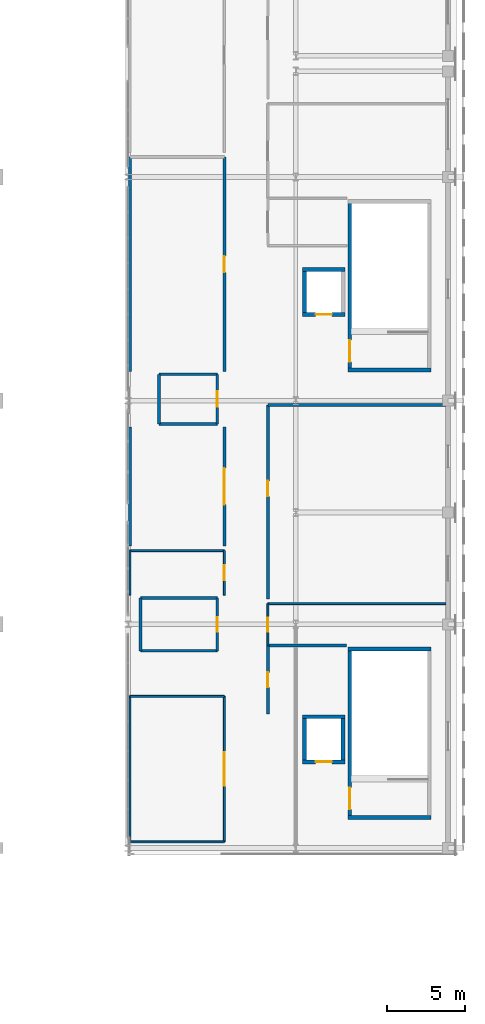
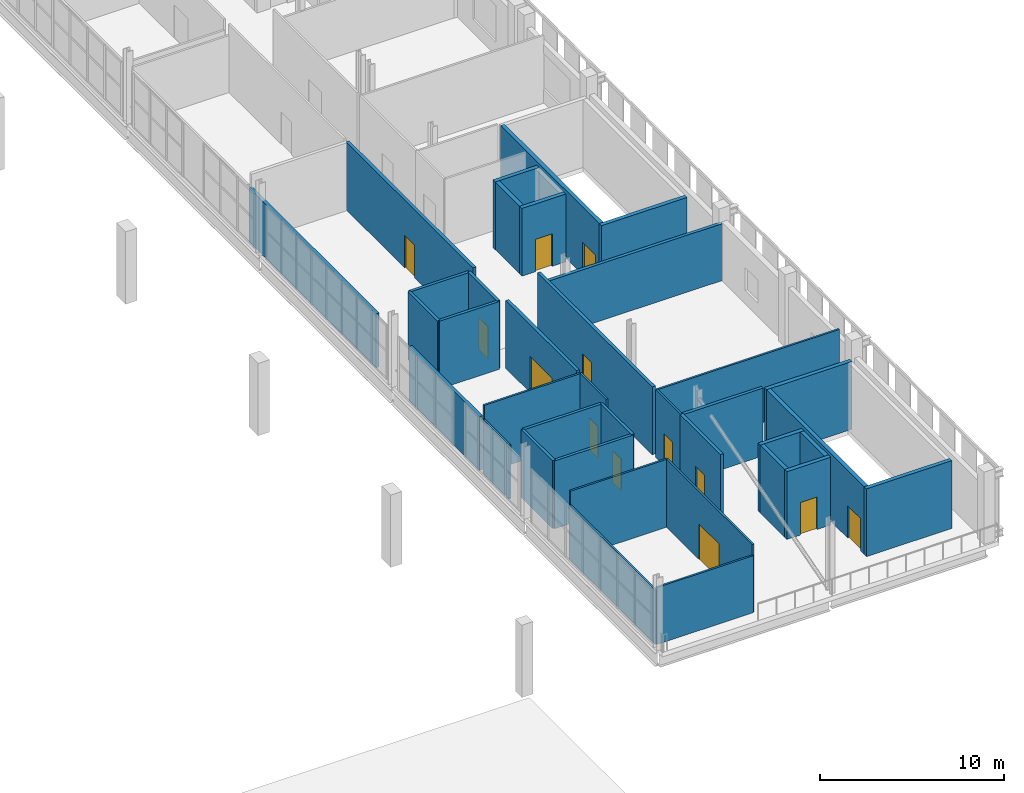
# One storey, part 36 of 51: 37 walls, 13 doors, 13 openings.
"""IFC4 building model written with IfcOpenShell, lengths in metres."""

from ifc_helpers import new_model, si_unit, direction, frame, frame_2d, origin, place, context, subcontext, project, spatial, rectangle, extrude, material, layer, layer_set, type_object, element, fill, save


model = new_model("IFC4")

# Units and contexts
model_context = context("Model", 3, precision=1e-05, world=origin(), true_north=direction((0.0, 1.0)))
body_context = subcontext(model_context, "Body", "Model", "MODEL_VIEW")
ifc_project = project(units=[si_unit("LENGTHUNIT", "METRE"), si_unit("AREAUNIT", "SQUARE_METRE"), si_unit("VOLUMEUNIT", "CUBIC_METRE"), si_unit("PLANEANGLEUNIT", "RADIAN"), si_unit("MASSUNIT", "GRAM", prefix="KILO")], contexts=[model_context])

# Site, building, storey
site_placement = place(None, origin())
site = spatial("IfcSite", under=ifc_project, at=site_placement, CompositionType="ELEMENT")
building_placement = place(site_placement, origin())
building = spatial("IfcBuilding", under=site, at=building_placement, Name="Koshinbarg Plaza Stadium", CompositionType="ELEMENT")
storey_placement = place(building_placement, frame((0.0, 0.0, 24.60009765625)))
storey = spatial("IfcBuildingStorey", under=building, at=storey_placement, Name="L05", CompositionType="ELEMENT", Elevation=24.60009765625)

# Walls
ifc_material_1 = material(Name="Concrete C40/50", Category="concrete")
ifc_layer_1 = layer(ifc_material_1, 0.25)
ifc_layer_set_1 = layer_set([ifc_layer_1], Name="Concrete C40/50")
wall_type_1 = type_object("IfcWallType", Name="WL-CORE-250", PredefinedType="SHEAR", material=ifc_layer_set_1)
for number, where, z_axis, x_axis, name in (
    (1, (211.949951171875, 27.47509765625, 0.0), (0.0, 0.0, 1.0), (1.0, 0.0, 0.0), "L05 core stair shear wall C07-near IWL-L05-0182"),
    (2, (217.320068359375, 38.324951171875, 0.0), (0.0, 0.0, 1.0), (-1.0, 0.0, 0.0), "L05 core stair shear wall C07-far IWL-L05-0183"),
):
    element("IfcWall", number, at=place(storey_placement, frame(where, z_axis=z_axis, x_axis=x_axis)), inside=storey, type_object=wall_type_1, Name=name, PredefinedType="SHEAR", context=body_context, shape_type="SweptSolid", body=[
        extrude(rectangle(XDim=5.3701171875, YDim=0.25, at=frame_2d((2.68505859375, 0.0))), origin(), (0.0, 0.0, 1.0), 4.5),
    ])

# Wall, opening, door
wall_1_placement = place(storey_placement, frame((212.074951171875, 27.47509765625, 0.0), z_axis=(0.0, 0.0, 1.0), x_axis=(0.0, 1.0, 0.0)))
wall_1 = element("IfcWall", 3, at=wall_1_placement, inside=storey, type_object=wall_type_1, Name="L05 core stair shear wall C07-left IWL-L05-0184", PredefinedType="SHEAR", context=body_context, shape_type="SweptSolid", body=[
    extrude(rectangle(XDim=10.849853515625, YDim=0.25, at=frame_2d((5.4248046875, 0.0))), origin(), (0.0, 0.0, 1.0), 4.5),
])
opening_1_placement = place(wall_1_placement, frame((0.52001953125, 0.0, 0.0)))
opening_1 = element("IfcOpeningElement", 4, at=opening_1_placement, cuts=wall_1, Name="Opening D-0108", PredefinedType="OPENING", context=body_context, shape_type="SweptSolid", body=[
    extrude(rectangle(XDim=1.39990234375, YDim=2.14990234375, at=frame_2d((0.699951171875, 1.074951171875))), frame((0.0, 0.135009765625, 0.0), z_axis=(0.0, -1.0, 0.0), x_axis=(1.0, 0.0, 0.0)), (0.0, 0.0, 1.0), 0.27001953125),
])
ifc_material_2 = material(Name="Painted galvanized steel fire door", Category="steel")
door_type_1 = type_object("IfcDoorType", Name="DR-STAIR-1400", OperationType="NOTDEFINED", PredefinedType="DOOR", material=ifc_material_2)
door_1_placement = place(opening_1_placement, frame((1.39990234375, 0.0, 0.0), z_axis=(0.0, 0.0, 1.0), x_axis=(-1.0, 0.0, 0.0)))
door_1 = element("IfcDoor", 5, at=door_1_placement, inside=storey, type_object=door_type_1, Name="L05 exit stair door C07", OperationType="SINGLE_SWING_LEFT", OverallHeight=2.14990234375, OverallWidth=1.39990234375, PredefinedType="DOOR", context=body_context, shape_type="SweptSolid", body=[
    extrude(rectangle(XDim=1.39990234375, YDim=2.14990234375, at=frame_2d((0.699951171875, 1.074951171875))), frame((0.0, 0.02490234375, 0.0), z_axis=(0.0, -1.0, 0.0), x_axis=(1.0, 0.0, 0.0)), (0.0, 0.0, 1.0), 0.050048828125),
])
fill(opening_1, door_1)

# Wall
wall_2_placement = place(storey_placement, frame((211.949951171875, 56.27490234375, 0.0), z_axis=(0.0, 0.0, 1.0), x_axis=(1.0, 0.0, 0.0)))
element("IfcWall", 6, at=wall_2_placement, inside=storey, type_object=wall_type_1, Name="L05 core stair shear wall C08-near IWL-L05-0206", PredefinedType="SHEAR", context=body_context, shape_type="SweptSolid", body=[
    extrude(rectangle(XDim=5.3701171875, YDim=0.25, at=frame_2d((2.68505859375, 0.0))), origin(), (0.0, 0.0, 1.0), 4.5),
])

# Wall, opening, door
wall_3_placement = place(storey_placement, frame((212.074951171875, 56.27490234375, 0.0), z_axis=(0.0, 0.0, 1.0), x_axis=(0.0, 1.0, 0.0)))
wall_3 = element("IfcWall", 7, at=wall_3_placement, inside=storey, type_object=wall_type_1, Name="L05 core stair shear wall C08-left IWL-L05-0208", PredefinedType="SHEAR", context=body_context, shape_type="SweptSolid", body=[
    extrude(rectangle(XDim=10.85009765625, YDim=0.25, at=frame_2d((5.425048828125, 0.0))), origin(), (0.0, 0.0, 1.0), 4.5),
])
opening_2_placement = place(wall_3_placement, frame((0.52001953125, 0.0, 0.0)))
opening_2 = element("IfcOpeningElement", 8, at=opening_2_placement, cuts=wall_3, Name="Opening D-0114", PredefinedType="OPENING", context=body_context, shape_type="SweptSolid", body=[
    extrude(rectangle(XDim=1.39990234375, YDim=2.14990234375, at=frame_2d((0.699951171875, 1.074951171875))), frame((0.0, 0.135009765625, 0.0), z_axis=(0.0, -1.0, 0.0), x_axis=(1.0, 0.0, 0.0)), (0.0, 0.0, 1.0), 0.27001953125),
])
door_2_placement = place(opening_2_placement, frame((1.39990234375, 0.0, 0.0), z_axis=(0.0, 0.0, 1.0), x_axis=(-1.0, 0.0, 0.0)))
door_2 = element("IfcDoor", 9, at=door_2_placement, inside=storey, type_object=door_type_1, Name="L05 exit stair door C08", OperationType="SINGLE_SWING_RIGHT", OverallHeight=2.14990234375, OverallWidth=1.39990234375, PredefinedType="DOOR", context=body_context, shape_type="SweptSolid", body=[
    extrude(rectangle(XDim=1.39990234375, YDim=2.14990234375, at=frame_2d((0.699951171875, 1.074951171875))), frame((0.0, 0.02490234375, 0.0), z_axis=(0.0, -1.0, 0.0), x_axis=(1.0, 0.0, 0.0)), (0.0, 0.0, 1.0), 0.050048828125),
])
fill(opening_2, door_2)

wall_4_placement = place(storey_placement, frame((209.02490234375, 31.050048828125, 0.0), z_axis=(0.0, 0.0, 1.0), x_axis=(1.0, 0.0, 0.0)))
wall_4 = element("IfcWall", 10, at=wall_4_placement, inside=storey, type_object=wall_type_1, Name="L05 lift shaft shear wall LP03-S IWL-L05-0882", PredefinedType="SHEAR", context=body_context, shape_type="SweptSolid", body=[
    extrude(rectangle(XDim=2.75, YDim=0.25, at=frame_2d((1.375, 0.0))), origin(), (0.0, 0.0, 1.0), 4.5),
])
opening_3_placement = place(wall_4_placement, frame((0.85009765625, 0.0, 0.0)))
opening_3 = element("IfcOpeningElement", 11, at=opening_3_placement, cuts=wall_4, Name="Opening D-0290", PredefinedType="OPENING", context=body_context, shape_type="SweptSolid", body=[
    extrude(rectangle(XDim=1.050048828125, YDim=2.14990234375, at=frame_2d((0.52490234375, 1.074951171875))), frame((0.0, 0.135009765625, 0.0), z_axis=(0.0, -1.0, 0.0), x_axis=(1.0, 0.0, 0.0)), (0.0, 0.0, 1.0), 0.27001953125),
])
ifc_material_3 = material(Name="Brushed stainless steel sliding lift landing door", Category="steel")
door_type_2 = type_object("IfcDoorType", Name="DR-LIFT-1050", OperationType="NOTDEFINED", PredefinedType="DOOR", material=ifc_material_3)
door_3_placement = place(opening_3_placement, origin())
door_3 = element("IfcDoor", 12, at=door_3_placement, inside=storey, type_object=door_type_2, Name="L05 lift landing door LP03", OperationType="SLIDING_TO_RIGHT", OverallHeight=2.14990234375, OverallWidth=1.050048828125, PredefinedType="DOOR", context=body_context, shape_type="SweptSolid", body=[
    extrude(rectangle(XDim=1.050048828125, YDim=2.14990234375, at=frame_2d((0.52490234375, 1.074951171875))), frame((0.0, 0.02490234375, 0.0), z_axis=(0.0, -1.0, 0.0), x_axis=(1.0, 0.0, 0.0)), (0.0, 0.0, 1.0), 0.050048828125),
])
fill(opening_3, door_3)

# Walls
wall_5_placement = place(storey_placement, frame((211.77490234375, 33.949951171875, 0.0), z_axis=(0.0, 0.0, 1.0), x_axis=(-1.0, 0.0, 0.0)))
element("IfcWall", 13, at=wall_5_placement, inside=storey, type_object=wall_type_1, Name="L05 lift shaft shear wall LP03-N IWL-L05-0883", PredefinedType="SHEAR", context=body_context, shape_type="SweptSolid", body=[
    extrude(rectangle(XDim=2.75, YDim=0.25, at=frame_2d((1.375, 0.0))), origin(), (0.0, 0.0, 1.0), 4.5),
])
for number, where, z_axis, x_axis, name in (
    (14, (209.14990234375, 33.949951171875, 0.0), (0.0, 0.0, 1.0), (0.0, -1.0, 0.0), "L05 lift shaft shear wall LP03-W IWL-L05-0884"),
    (15, (211.64990234375, 31.050048828125, 0.0), (0.0, 0.0, 1.0), (0.0, 1.0, 0.0), "L05 lift shaft shear wall LP03-E IWL-L05-0885"),
):
    element("IfcWall", number, at=place(storey_placement, frame(where, z_axis=z_axis, x_axis=x_axis)), inside=storey, type_object=wall_type_1, Name=name, PredefinedType="SHEAR", context=body_context, shape_type="SweptSolid", body=[
        extrude(rectangle(XDim=2.89990234375, YDim=0.25, at=frame_2d((1.449951171875, 0.0))), origin(), (0.0, 0.0, 1.0), 4.5),
    ])

# Wall, opening, door
wall_6_placement = place(storey_placement, frame((209.02490234375, 59.85009765625, 0.0), z_axis=(0.0, 0.0, 1.0), x_axis=(1.0, 0.0, 0.0)))
wall_6 = element("IfcWall", 16, at=wall_6_placement, inside=storey, type_object=wall_type_1, Name="L05 lift shaft shear wall LP04-S IWL-L05-0906", PredefinedType="SHEAR", context=body_context, shape_type="SweptSolid", body=[
    extrude(rectangle(XDim=2.75, YDim=0.25, at=frame_2d((1.375, 0.0))), origin(), (0.0, 0.0, 1.0), 4.5),
])
opening_4_placement = place(wall_6_placement, frame((0.85009765625, 0.0, 0.0)))
opening_4 = element("IfcOpeningElement", 17, at=opening_4_placement, cuts=wall_6, Name="Opening D-0296", PredefinedType="OPENING", context=body_context, shape_type="SweptSolid", body=[
    extrude(rectangle(XDim=1.050048828125, YDim=2.14990234375, at=frame_2d((0.52490234375, 1.074951171875))), frame((0.0, 0.135009765625, 0.0), z_axis=(0.0, -1.0, 0.0), x_axis=(1.0, 0.0, 0.0)), (0.0, 0.0, 1.0), 0.27001953125),
])
door_4_placement = place(opening_4_placement, origin())
door_4 = element("IfcDoor", 18, at=door_4_placement, inside=storey, type_object=door_type_2, Name="L05 lift landing door LP04", OperationType="SLIDING_TO_LEFT", OverallHeight=2.14990234375, OverallWidth=1.050048828125, PredefinedType="DOOR", context=body_context, shape_type="SweptSolid", body=[
    extrude(rectangle(XDim=1.050048828125, YDim=2.14990234375, at=frame_2d((0.52490234375, 1.074951171875))), frame((0.0, 0.02490234375, 0.0), z_axis=(0.0, -1.0, 0.0), x_axis=(1.0, 0.0, 0.0)), (0.0, 0.0, 1.0), 0.050048828125),
])
fill(opening_4, door_4)

# Walls
wall_7_placement = place(storey_placement, frame((211.77490234375, 62.75, 0.0), z_axis=(0.0, 0.0, 1.0), x_axis=(-1.0, 0.0, 0.0)))
element("IfcWall", 19, at=wall_7_placement, inside=storey, type_object=wall_type_1, Name="L05 lift shaft shear wall LP04-N IWL-L05-0907", PredefinedType="SHEAR", context=body_context, shape_type="SweptSolid", body=[
    extrude(rectangle(XDim=2.75, YDim=0.25, at=frame_2d((1.375, 0.0))), origin(), (0.0, 0.0, 1.0), 4.5),
])
wall_8_placement = place(storey_placement, frame((209.14990234375, 62.75, 0.0), z_axis=(0.0, 0.0, 1.0), x_axis=(0.0, -1.0, 0.0)))
element("IfcWall", 20, at=wall_8_placement, inside=storey, type_object=wall_type_1, Name="L05 lift shaft shear wall LP04-W IWL-L05-0908", PredefinedType="SHEAR", context=body_context, shape_type="SweptSolid", body=[
    extrude(rectangle(XDim=2.89990234375, YDim=0.25, at=frame_2d((1.449951171875, 0.0))), origin(), (0.0, 0.0, 1.0), 4.5),
])
ifc_material_4 = material(Name="Gypsum board metal-stud acoustic partition")
ifc_layer_2 = layer(ifc_material_4, 0.1201171875)
ifc_layer_set_2 = layer_set([ifc_layer_2], Name="Gypsum board metal-stud acoustic partition")
wall_type_2 = type_object("IfcWallType", Name="WL-PART-120", PredefinedType="PARTITIONING", material=ifc_layer_set_2)
wall_9_placement = place(storey_placement, frame((197.919921875, 25.89501953125, 0.0), z_axis=(0.0, 0.0, 1.0), x_axis=(1.0, 0.0, 0.0)))
element("IfcWall", 21, at=wall_9_placement, inside=storey, type_object=wall_type_2, Name="L05 interior partition L05-60-south IWL-L05-2328", PredefinedType="PARTITIONING", context=body_context, shape_type="SweptSolid", body=[
    extrude(rectangle(XDim=6.080078125, YDim=0.1201171875, at=frame_2d((3.0400390625, 0.0))), origin(), (0.0, 0.0, 1.0), 3.77978515625),
])

# Wall, opening, door
wall_10_placement = place(storey_placement, frame((204.0, 25.89501953125, 0.0), z_axis=(0.0, 0.0, 1.0), x_axis=(0.0, 1.0, 0.0)))
wall_10 = element("IfcWall", 22, at=wall_10_placement, inside=storey, type_object=wall_type_2, Name="L05 interior partition L05-60-east IWL-L05-2329", PredefinedType="PARTITIONING", context=body_context, shape_type="SweptSolid", body=[
    extrude(rectangle(XDim=9.367919921875, YDim=0.1201171875, at=frame_2d((4.68408203125, 0.0))), origin(), (0.0, 0.0, 1.0), 4.5),
])
opening_5_placement = place(wall_10_placement, frame((3.60400390625, 0.0, 0.0)))
opening_5 = element("IfcOpeningElement", 23, at=opening_5_placement, cuts=wall_10, Name="Opening D-0807", PredefinedType="OPENING", context=body_context, shape_type="SweptSolid", body=[
    extrude(rectangle(XDim=2.159912109375, YDim=2.35009765625, at=frame_2d((1.080078125, 1.175048828125))), frame((0.0, 0.070068359375, 0.0), z_axis=(0.0, -1.0, 0.0), x_axis=(1.0, 0.0, 0.0)), (0.0, 0.0, 1.0), 0.14013671875),
])
ifc_material_5 = material(Name="Galvanized painted steel double leaf door", Category="steel")
door_type_3 = type_object("IfcDoorType", Name="DR-INT-2160x2350", OperationType="NOTDEFINED", PredefinedType="DOOR", material=ifc_material_5)
door_5_placement = place(opening_5_placement, origin())
door_5 = element("IfcDoor", 24, at=door_5_placement, inside=storey, type_object=door_type_3, Name="L05 East Sky Terrace Dining Hall door D-0807", OperationType="DOUBLE_DOOR_SINGLE_SWING", OverallHeight=2.35009765625, OverallWidth=2.159912109375, PredefinedType="DOOR", context=body_context, shape_type="SweptSolid", body=[
    extrude(rectangle(XDim=2.159912109375, YDim=2.35009765625, at=frame_2d((1.080078125, 1.175048828125))), frame((0.0, 0.02490234375, 0.0), z_axis=(0.0, -1.0, 0.0), x_axis=(1.0, 0.0, 0.0)), (0.0, 0.0, 1.0), 0.050048828125),
])
fill(opening_5, door_5)

# Walls
wall_11_placement = place(storey_placement, frame((204.0, 35.262939453125, 0.0), z_axis=(0.0, 0.0, 1.0), x_axis=(-1.0, 0.0, 0.0)))
element("IfcWall", 25, at=wall_11_placement, inside=storey, type_object=wall_type_2, Name="L05 interior partition L05-60-north IWL-L05-2330", PredefinedType="PARTITIONING", context=body_context, shape_type="SweptSolid", body=[
    extrude(rectangle(XDim=6.080078125, YDim=0.1201171875, at=frame_2d((3.0400390625, 0.0))), origin(), (0.0, 0.0, 1.0), 4.5),
])
wall_12_placement = place(storey_placement, frame((197.919921875, 35.262939453125, 0.0), z_axis=(0.0, 0.0, 1.0), x_axis=(0.0, -1.0, 0.0)))
element("IfcWall", 26, at=wall_12_placement, inside=storey, type_object=wall_type_2, Name="L05 interior partition L05-60-west IWL-L05-2331", PredefinedType="PARTITIONING", context=body_context, shape_type="SweptSolid", body=[
    extrude(rectangle(XDim=9.367919921875, YDim=0.1201171875, at=frame_2d((4.68408203125, 0.0))), origin(), (0.0, 0.0, 1.0), 3.579833984375),
])

# Wall, opening, door
wall_13_placement = place(storey_placement, frame((204.0, 41.780029296875, 0.0), z_axis=(0.0, 0.0, 1.0), x_axis=(0.0, 1.0, 0.0)))
wall_13 = element("IfcWall", 27, at=wall_13_placement, inside=storey, type_object=wall_type_2, Name="L05 interior partition L05-61-east IWL-L05-2332", PredefinedType="PARTITIONING", context=body_context, shape_type="SweptSolid", body=[
    extrude(rectangle(XDim=2.866455078125, YDim=0.1201171875, at=frame_2d((1.43310546875, 0.0))), origin(), (0.0, 0.0, 1.0), 4.5),
])
opening_6_placement = place(wall_13_placement, frame((0.953369140625, 0.0, 0.0)))
opening_6 = element("IfcOpeningElement", 28, at=opening_6_placement, cuts=wall_13, Name="Opening D-0808", PredefinedType="OPENING", context=body_context, shape_type="SweptSolid", body=[
    extrude(rectangle(XDim=0.9599609375, YDim=2.10009765625, at=frame_2d((0.47998046875, 1.050048828125))), frame((0.0, 0.070068359375, 0.0), z_axis=(0.0, -1.0, 0.0), x_axis=(1.0, 0.0, 0.0)), (0.0, 0.0, 1.0), 0.14013671875),
])
ifc_material_6 = material(Name="Solid-core oak veneer acoustic door")
door_type_4 = type_object("IfcDoorType", Name="DR-INT-0960x2100", OperationType="NOTDEFINED", PredefinedType="DOOR", material=ifc_material_6)
door_6_placement = place(opening_6_placement, origin())
door_6 = element("IfcDoor", 29, at=door_6_placement, inside=storey, type_object=door_type_4, Name="L05 Panoramic Club Salon door D-0808", OperationType="SINGLE_SWING_RIGHT", OverallHeight=2.10009765625, OverallWidth=0.9599609375, PredefinedType="DOOR", context=body_context, shape_type="SweptSolid", body=[
    extrude(rectangle(XDim=0.9599609375, YDim=2.10009765625, at=frame_2d((0.47998046875, 1.050048828125))), frame((0.0, 0.02490234375, 0.0), z_axis=(0.0, -1.0, 0.0), x_axis=(1.0, 0.0, 0.0)), (0.0, 0.0, 1.0), 0.050048828125),
])
fill(opening_6, door_6)

# Walls
wall_14_placement = place(storey_placement, frame((204.0, 44.646484375, 0.0), z_axis=(0.0, 0.0, 1.0), x_axis=(-1.0, 0.0, 0.0)))
element("IfcWall", 30, at=wall_14_placement, inside=storey, type_object=wall_type_2, Name="L05 interior partition L05-61-north IWL-L05-2333", PredefinedType="PARTITIONING", context=body_context, shape_type="SweptSolid", body=[
    extrude(rectangle(XDim=6.080078125, YDim=0.1201171875, at=frame_2d((3.0400390625, 0.0))), origin(), (0.0, 0.0, 1.0), 4.5),
])
wall_15_placement = place(storey_placement, frame((197.919921875, 44.646484375, 0.0), z_axis=(0.0, 0.0, 1.0), x_axis=(0.0, -1.0, 0.0)))
element("IfcWall", 31, at=wall_15_placement, inside=storey, type_object=wall_type_2, Name="L05 interior partition L05-61-west IWL-L05-2334", PredefinedType="PARTITIONING", context=body_context, shape_type="SweptSolid", body=[
    extrude(rectangle(XDim=2.866455078125, YDim=0.1201171875, at=frame_2d((1.43310546875, 0.0))), origin(), (0.0, 0.0, 1.0), 3.579833984375),
])
wall_16_placement = place(storey_placement, frame((218.2548828125, 41.234375, 0.0), z_axis=(0.0, 0.0, 1.0), x_axis=(-1.0, 0.0, 0.0)))
element("IfcWall", 32, at=wall_16_placement, inside=storey, type_object=wall_type_2, Name="L05 interior partition L05-63-north IWL-L05-2337", PredefinedType="PARTITIONING", context=body_context, shape_type="SweptSolid", body=[
    extrude(rectangle(XDim=11.454833984375, YDim=0.1201171875, at=frame_2d((5.7275390625, 0.0))), origin(), (0.0, 0.0, 1.0), 4.5),
])

# Wall, opening, door
wall_17_placement = place(storey_placement, frame((206.800048828125, 41.234375, 0.0), z_axis=(0.0, 0.0, 1.0), x_axis=(0.0, -1.0, 0.0)))
wall_17 = element("IfcWall", 33, at=wall_17_placement, inside=storey, type_object=wall_type_2, Name="L05 interior partition L05-63-west IWL-L05-2338", PredefinedType="PARTITIONING", context=body_context, shape_type="SweptSolid", body=[
    extrude(rectangle(XDim=2.704345703125, YDim=0.1201171875, at=frame_2d((1.35205078125, 0.0))), origin(), (0.0, 0.0, 1.0), 4.5),
])
opening_7_placement = place(wall_17_placement, frame((0.89208984375, 0.0, 0.0)))
opening_7 = element("IfcOpeningElement", 34, at=opening_7_placement, cuts=wall_17, Name="Opening D-0810", PredefinedType="OPENING", context=body_context, shape_type="SweptSolid", body=[
    extrude(rectangle(XDim=0.919921875, YDim=2.10009765625, at=frame_2d((0.4599609375, 1.050048828125))), frame((0.0, 0.070068359375, 0.0), z_axis=(0.0, -1.0, 0.0), x_axis=(1.0, 0.0, 0.0)), (0.0, 0.0, 1.0), 0.14013671875),
])
door_type_5 = type_object("IfcDoorType", Name="DR-INT-0920x2100", OperationType="NOTDEFINED", PredefinedType="DOOR", material=ifc_material_6)
door_7_placement = place(opening_7_placement, origin())
door_7 = element("IfcDoor", 35, at=door_7_placement, inside=storey, type_object=door_type_5, Name="L05 Panoramic Club Salon door D-0810", OperationType="SINGLE_SWING_RIGHT", OverallHeight=2.10009765625, OverallWidth=0.919921875, PredefinedType="DOOR", context=body_context, shape_type="SweptSolid", body=[
    extrude(rectangle(XDim=0.919921875, YDim=2.10009765625, at=frame_2d((0.4599609375, 1.050048828125))), frame((0.0, 0.02490234375, 0.0), z_axis=(0.0, -1.0, 0.0), x_axis=(1.0, 0.0, 0.0)), (0.0, 0.0, 1.0), 0.050048828125),
])
fill(opening_7, door_7)

# Wall
ifc_material_7 = material(Name="Moisture-resistant tiled sanitary partition")
ifc_layer_3 = layer(ifc_material_7, 0.179931640625)
ifc_layer_set_3 = layer_set([ifc_layer_3], Name="Moisture-resistant tiled sanitary partition")
wall_type_3 = type_object("IfcWallType", Name="WL-PART-180", PredefinedType="PARTITIONING", material=ifc_layer_set_3)
wall_18_placement = place(storey_placement, frame((198.60009765625, 38.199951171875, 0.0), z_axis=(0.0, 0.0, 1.0), x_axis=(1.0, 0.0, 0.0)))
element("IfcWall", 36, at=wall_18_placement, inside=storey, type_object=wall_type_3, Name="L05 interior partition L05-29-south IWL-L05-2250", PredefinedType="PARTITIONING", context=body_context, shape_type="SweptSolid", body=[
    extrude(rectangle(XDim=4.949951171875, YDim=0.179931640625, at=frame_2d((2.47509765625, 0.0))), origin(), (0.0, 0.0, 1.0), 4.5),
])

# Wall, opening, door
wall_19_placement = place(storey_placement, frame((203.550048828125, 38.199951171875, 0.0), z_axis=(0.0, 0.0, 1.0), x_axis=(0.0, 1.0, 0.0)))
wall_19 = element("IfcWall", 37, at=wall_19_placement, inside=storey, type_object=wall_type_3, Name="L05 interior partition L05-29-east IWL-L05-2251", PredefinedType="PARTITIONING", context=body_context, shape_type="SweptSolid", body=[
    extrude(rectangle(XDim=3.400146484375, YDim=0.179931640625, at=frame_2d((1.7001953125, 0.0))), origin(), (0.0, 0.0, 1.0), 4.5),
])
opening_8_placement = place(wall_19_placement, frame((1.239990234375, 0.0, 0.0)))
opening_8 = element("IfcOpeningElement", 38, at=opening_8_placement, cuts=wall_19, Name="Opening D-0777", PredefinedType="OPENING", context=body_context, shape_type="SweptSolid", body=[
    extrude(rectangle(XDim=0.919921875, YDim=2.10009765625, at=frame_2d((0.4599609375, 1.050048828125))), frame((0.0, 0.099853515625, 0.0), z_axis=(0.0, -1.0, 0.0), x_axis=(1.0, 0.0, 0.0)), (0.0, 0.0, 1.0), 0.199951171875),
])
door_8_placement = place(opening_8_placement, origin())
door_8 = element("IfcDoor", 39, at=door_8_placement, inside=storey, type_object=door_type_5, Name="L05 Public Restroom 2 door D-0777", OperationType="SINGLE_SWING_LEFT", OverallHeight=2.10009765625, OverallWidth=0.919921875, PredefinedType="DOOR", context=body_context, shape_type="SweptSolid", body=[
    extrude(rectangle(XDim=0.919921875, YDim=2.10009765625, at=frame_2d((0.4599609375, 1.050048828125))), frame((0.0, 0.02490234375, 0.0), z_axis=(0.0, -1.0, 0.0), x_axis=(1.0, 0.0, 0.0)), (0.0, 0.0, 1.0), 0.050048828125),
])
fill(opening_8, door_8)

# Walls
wall_20_placement = place(storey_placement, frame((203.550048828125, 41.60009765625, 0.0), z_axis=(0.0, 0.0, 1.0), x_axis=(-1.0, 0.0, 0.0)))
element("IfcWall", 40, at=wall_20_placement, inside=storey, type_object=wall_type_3, Name="L05 interior partition L05-29-north IWL-L05-2252", PredefinedType="PARTITIONING", context=body_context, shape_type="SweptSolid", body=[
    extrude(rectangle(XDim=4.949951171875, YDim=0.179931640625, at=frame_2d((2.47509765625, 0.0))), origin(), (0.0, 0.0, 1.0), 4.5),
])
wall_21_placement = place(storey_placement, frame((198.60009765625, 41.60009765625, 0.0), z_axis=(0.0, 0.0, 1.0), x_axis=(0.0, -1.0, 0.0)))
element("IfcWall", 41, at=wall_21_placement, inside=storey, type_object=wall_type_3, Name="L05 interior partition L05-29-west IWL-L05-2253", PredefinedType="PARTITIONING", context=body_context, shape_type="SweptSolid", body=[
    extrude(rectangle(XDim=3.400146484375, YDim=0.179931640625, at=frame_2d((1.7001953125, 0.0))), origin(), (0.0, 0.0, 1.0), 4.5),
])
wall_22_placement = place(storey_placement, frame((199.800048828125, 52.800048828125, 0.0), z_axis=(0.0, 0.0, 1.0), x_axis=(1.0, 0.0, 0.0)))
element("IfcWall", 42, at=wall_22_placement, inside=storey, type_object=wall_type_3, Name="L05 interior partition L05-30-south IWL-L05-2254", PredefinedType="PARTITIONING", context=body_context, shape_type="SweptSolid", body=[
    extrude(rectangle(XDim=3.75, YDim=0.179931640625, at=frame_2d((1.875, 0.0))), origin(), (0.0, 0.0, 1.0), 4.5),
])

# Wall, opening, door
wall_23_placement = place(storey_placement, frame((203.550048828125, 52.800048828125, 0.0), z_axis=(0.0, 0.0, 1.0), x_axis=(0.0, 1.0, 0.0)))
wall_23 = element("IfcWall", 43, at=wall_23_placement, inside=storey, type_object=wall_type_3, Name="L05 interior partition L05-30-east IWL-L05-2255", PredefinedType="PARTITIONING", context=body_context, shape_type="SweptSolid", body=[
    extrude(rectangle(XDim=3.199951171875, YDim=0.179931640625, at=frame_2d((1.60009765625, 0.0))), origin(), (0.0, 0.0, 1.0), 4.5),
])
opening_9_placement = place(wall_23_placement, frame((1.10009765625, 0.0, 0.0)))
opening_9 = element("IfcOpeningElement", 44, at=opening_9_placement, cuts=wall_23, Name="Opening D-0778", PredefinedType="OPENING", context=body_context, shape_type="SweptSolid", body=[
    extrude(rectangle(XDim=1.0, YDim=2.10009765625, at=frame_2d((0.5, 1.050048828125))), frame((0.0, 0.099853515625, 0.0), z_axis=(0.0, -1.0, 0.0), x_axis=(1.0, 0.0, 0.0)), (0.0, 0.0, 1.0), 0.199951171875),
])
ifc_material_8 = material(Name="Solid-core laminate accessible WC door")
door_type_6 = type_object("IfcDoorType", Name="DR-INT-1000x2100", OperationType="NOTDEFINED", PredefinedType="DOOR", material=ifc_material_8)
door_9_placement = place(opening_9_placement, origin())
door_9 = element("IfcDoor", 45, at=door_9_placement, inside=storey, type_object=door_type_6, Name="L05 Accessible WC 2 door D-0778", OperationType="SINGLE_SWING_RIGHT", OverallHeight=2.10009765625, OverallWidth=1.0, PredefinedType="DOOR", context=body_context, shape_type="SweptSolid", body=[
    extrude(rectangle(XDim=1.0, YDim=2.10009765625, at=frame_2d((0.5, 1.050048828125))), frame((0.0, 0.02490234375, 0.0), z_axis=(0.0, -1.0, 0.0), x_axis=(1.0, 0.0, 0.0)), (0.0, 0.0, 1.0), 0.050048828125),
])
fill(opening_9, door_9)

# Walls
wall_24_placement = place(storey_placement, frame((203.550048828125, 56.0, 0.0), z_axis=(0.0, 0.0, 1.0), x_axis=(-1.0, 0.0, 0.0)))
element("IfcWall", 46, at=wall_24_placement, inside=storey, type_object=wall_type_3, Name="L05 interior partition L05-30-north IWL-L05-2256", PredefinedType="PARTITIONING", context=body_context, shape_type="SweptSolid", body=[
    extrude(rectangle(XDim=3.75, YDim=0.179931640625, at=frame_2d((1.875, 0.0))), origin(), (0.0, 0.0, 1.0), 4.5),
])
wall_25_placement = place(storey_placement, frame((199.800048828125, 56.0, 0.0), z_axis=(0.0, 0.0, 1.0), x_axis=(0.0, -1.0, 0.0)))
element("IfcWall", 47, at=wall_25_placement, inside=storey, type_object=wall_type_3, Name="L05 interior partition L05-30-west IWL-L05-2257", PredefinedType="PARTITIONING", context=body_context, shape_type="SweptSolid", body=[
    extrude(rectangle(XDim=3.199951171875, YDim=0.179931640625, at=frame_2d((1.60009765625, 0.0))), origin(), (0.0, 0.0, 1.0), 4.5),
])

# Wall, opening, door
ifc_material_9 = material(Name="Autoclaved aerated blockwork fire partition", Category="masonry")
ifc_layer_4 = layer(ifc_material_9, 0.199951171875)
ifc_layer_set_4 = layer_set([ifc_layer_4], Name="Autoclaved aerated blockwork fire partition")
wall_type_4 = type_object("IfcWallType", Name="WL-PART-200", PredefinedType="PARTITIONING", material=ifc_layer_set_4)
wall_26_placement = place(storey_placement, frame((204.0, 44.946533203125, 0.0), z_axis=(0.0, 0.0, 1.0), x_axis=(0.0, 1.0, 0.0)))
wall_26 = element("IfcWall", 48, at=wall_26_placement, inside=storey, type_object=wall_type_4, Name="L05 interior partition L05-62-east IWL-L05-2335", PredefinedType="PARTITIONING", context=body_context, shape_type="SweptSolid", body=[
    extrude(rectangle(XDim=7.673583984375, YDim=0.199951171875, at=frame_2d((3.8369140625, 0.0))), origin(), (0.0, 0.0, 1.0), 4.5),
])
opening_10_placement = place(wall_26_placement, frame((2.65673828125, 0.0, 0.0)))
opening_10 = element("IfcOpeningElement", 49, at=opening_10_placement, cuts=wall_26, Name="Opening D-0809", PredefinedType="OPENING", context=body_context, shape_type="SweptSolid", body=[
    extrude(rectangle(XDim=2.360107421875, YDim=2.39990234375, at=frame_2d((1.18017578125, 1.199951171875))), frame((0.0, 0.10986328125, 0.0), z_axis=(0.0, -1.0, 0.0), x_axis=(1.0, 0.0, 0.0)), (0.0, 0.0, 1.0), 0.219970703125),
])
ifc_material_10 = material(Name="Powder-coated steel and tempered glass double door", Category="steel")
door_type_7 = type_object("IfcDoorType", Name="DR-INT-2360x2400", OperationType="NOTDEFINED", PredefinedType="DOOR", material=ifc_material_10)
door_10_placement = place(opening_10_placement, origin())
door_10 = element("IfcDoor", 50, at=door_10_placement, inside=storey, type_object=door_type_7, Name="L05 Scoreboard Technical Control door D-0809", OperationType="DOUBLE_DOOR_SINGLE_SWING", OverallHeight=2.39990234375, OverallWidth=2.360107421875, PredefinedType="DOOR", context=body_context, shape_type="SweptSolid", body=[
    extrude(rectangle(XDim=2.360107421875, YDim=2.39990234375, at=frame_2d((1.18017578125, 1.199951171875))), frame((0.0, 0.02490234375, 0.0), z_axis=(0.0, -1.0, 0.0), x_axis=(1.0, 0.0, 0.0)), (0.0, 0.0, 1.0), 0.050048828125),
])
fill(opening_10, door_10)

# Walls
wall_27_placement = place(storey_placement, frame((197.919921875, 52.6201171875, 0.0), z_axis=(0.0, 0.0, 1.0), x_axis=(0.0, -1.0, 0.0)))
element("IfcWall", 51, at=wall_27_placement, inside=storey, type_object=wall_type_4, Name="L05 interior partition L05-62-west IWL-L05-2336", PredefinedType="PARTITIONING", context=body_context, shape_type="SweptSolid", body=[
    extrude(rectangle(XDim=7.673583984375, YDim=0.199951171875, at=frame_2d((3.8369140625, 0.0))), origin(), (0.0, 0.0, 1.0), 3.579833984375),
])
wall_28_placement = place(storey_placement, frame((211.8701171875, 38.530029296875, 0.0), z_axis=(0.0, 0.0, 1.0), x_axis=(-1.0, 0.0, 0.0)))
element("IfcWall", 52, at=wall_28_placement, inside=storey, type_object=wall_type_4, Name="L05 interior partition L05-64-north IWL-L05-2339", PredefinedType="PARTITIONING", context=body_context, shape_type="SweptSolid", body=[
    extrude(rectangle(XDim=5.070068359375, YDim=0.199951171875, at=frame_2d((2.53515625, 0.0))), origin(), (0.0, 0.0, 1.0), 4.5),
])

# Wall, opening, door
wall_29_placement = place(storey_placement, frame((206.800048828125, 38.530029296875, 0.0), z_axis=(0.0, 0.0, 1.0), x_axis=(0.0, -1.0, 0.0)))
wall_29 = element("IfcWall", 53, at=wall_29_placement, inside=storey, type_object=wall_type_4, Name="L05 interior partition L05-64-west IWL-L05-2340", PredefinedType="PARTITIONING", context=body_context, shape_type="SweptSolid", body=[
    extrude(rectangle(XDim=4.400146484375, YDim=0.199951171875, at=frame_2d((2.2001953125, 0.0))), origin(), (0.0, 0.0, 1.0), 4.5),
])
opening_11_placement = place(wall_29_placement, frame((1.719970703125, 0.0, 0.0)))
opening_11 = element("IfcOpeningElement", 54, at=opening_11_placement, cuts=wall_29, Name="Opening D-0811", PredefinedType="OPENING", context=body_context, shape_type="SweptSolid", body=[
    extrude(rectangle(XDim=0.9599609375, YDim=2.10009765625, at=frame_2d((0.47998046875, 1.050048828125))), frame((0.0, 0.10986328125, 0.0), z_axis=(0.0, -1.0, 0.0), x_axis=(1.0, 0.0, 0.0)), (0.0, 0.0, 1.0), 0.219970703125),
])
door_11_placement = place(opening_11_placement, origin())
door_11 = element("IfcDoor", 55, at=door_11_placement, inside=storey, type_object=door_type_4, Name="L05 Scoreboard Technical Control door D-0811", OperationType="SINGLE_SWING_LEFT", OverallHeight=2.10009765625, OverallWidth=0.9599609375, PredefinedType="DOOR", context=body_context, shape_type="SweptSolid", body=[
    extrude(rectangle(XDim=0.9599609375, YDim=2.10009765625, at=frame_2d((0.47998046875, 1.050048828125))), frame((0.0, 0.02490234375, 0.0), z_axis=(0.0, -1.0, 0.0), x_axis=(1.0, 0.0, 0.0)), (0.0, 0.0, 1.0), 0.050048828125),
])
fill(opening_11, door_11)

# Wall
wall_30_placement = place(storey_placement, frame((218.2548828125, 54.030029296875, 0.0), z_axis=(0.0, 0.0, 1.0), x_axis=(-1.0, 0.0, 0.0)))
element("IfcWall", 56, at=wall_30_placement, inside=storey, type_object=wall_type_4, Name="L05 interior partition L05-65-north IWL-L05-2341", PredefinedType="PARTITIONING", context=body_context, shape_type="SweptSolid", body=[
    extrude(rectangle(XDim=11.454833984375, YDim=0.199951171875, at=frame_2d((5.7275390625, 0.0))), origin(), (0.0, 0.0, 1.0), 3.77978515625),
])

# Wall, opening, door
wall_31_placement = place(storey_placement, frame((206.800048828125, 54.030029296875, 0.0), z_axis=(0.0, 0.0, 1.0), x_axis=(0.0, -1.0, 0.0)))
wall_31 = element("IfcWall", 57, at=wall_31_placement, inside=storey, type_object=wall_type_4, Name="L05 interior partition L05-65-west IWL-L05-2342", PredefinedType="PARTITIONING", context=body_context, shape_type="SweptSolid", body=[
    extrude(rectangle(XDim=12.495849609375, YDim=0.199951171875, at=frame_2d((6.248046875, 0.0))), origin(), (0.0, 0.0, 1.0), 4.5),
])
opening_12_placement = place(wall_31_placement, frame((4.88427734375, 0.0, 0.0)))
opening_12 = element("IfcOpeningElement", 58, at=opening_12_placement, cuts=wall_31, Name="Opening D-0812", PredefinedType="OPENING", context=body_context, shape_type="SweptSolid", body=[
    extrude(rectangle(XDim=1.0, YDim=2.10009765625, at=frame_2d((0.5, 1.050048828125))), frame((0.0, 0.10986328125, 0.0), z_axis=(0.0, -1.0, 0.0), x_axis=(1.0, 0.0, 0.0)), (0.0, 0.0, 1.0), 0.219970703125),
])
door_12_placement = place(opening_12_placement, origin())
door_12 = element("IfcDoor", 59, at=door_12_placement, inside=storey, type_object=door_type_6, Name="L05 Scoreboard Technical Control door D-0812", OperationType="SINGLE_SWING_RIGHT", OverallHeight=2.10009765625, OverallWidth=1.0, PredefinedType="DOOR", context=body_context, shape_type="SweptSolid", body=[
    extrude(rectangle(XDim=1.0, YDim=2.10009765625, at=frame_2d((0.5, 1.050048828125))), frame((0.0, 0.02490234375, 0.0), z_axis=(0.0, -1.0, 0.0), x_axis=(1.0, 0.0, 0.0)), (0.0, 0.0, 1.0), 0.050048828125),
])
fill(opening_12, door_12)

wall_32_placement = place(storey_placement, frame((204.0, 56.179931640625, 0.0), z_axis=(0.0, 0.0, 1.0), x_axis=(0.0, 1.0, 0.0)))
wall_32 = element("IfcWall", 60, at=wall_32_placement, inside=storey, type_object=wall_type_4, Name="L05 interior partition L05-66-east IWL-L05-2343", PredefinedType="PARTITIONING", context=body_context, shape_type="SweptSolid", body=[
    extrude(rectangle(XDim=13.798095703125, YDim=0.199951171875, at=frame_2d((6.89892578125, 0.0))), origin(), (0.0, 0.0, 1.0), 4.5),
])
opening_13_placement = place(wall_32_placement, frame((6.3740234375, 0.0, 0.0)))
opening_13 = element("IfcOpeningElement", 61, at=opening_13_placement, cuts=wall_32, Name="Opening D-0813", PredefinedType="OPENING", context=body_context, shape_type="SweptSolid", body=[
    extrude(rectangle(XDim=1.050048828125, YDim=2.14990234375, at=frame_2d((0.52490234375, 1.074951171875))), frame((0.0, 0.10986328125, 0.0), z_axis=(0.0, -1.0, 0.0), x_axis=(1.0, 0.0, 0.0)), (0.0, 0.0, 1.0), 0.219970703125),
])
ifc_material_11 = material(Name="Solid-core oak suite entrance door")
door_type_8 = type_object("IfcDoorType", Name="DR-INT-1050x2150", OperationType="NOTDEFINED", PredefinedType="DOOR", material=ifc_material_11)
door_13_placement = place(opening_13_placement, origin())
door_13 = element("IfcDoor", 62, at=door_13_placement, inside=storey, type_object=door_type_8, Name="L05 Scoreboard Technical Control door D-0813", OperationType="SINGLE_SWING_LEFT", OverallHeight=2.14990234375, OverallWidth=1.050048828125, PredefinedType="DOOR", context=body_context, shape_type="SweptSolid", body=[
    extrude(rectangle(XDim=1.050048828125, YDim=2.14990234375, at=frame_2d((0.52490234375, 1.074951171875))), frame((0.0, 0.02490234375, 0.0), z_axis=(0.0, -1.0, 0.0), x_axis=(1.0, 0.0, 0.0)), (0.0, 0.0, 1.0), 0.050048828125),
])
fill(opening_13, door_13)

# Wall
wall_33_placement = place(storey_placement, frame((197.919921875, 69.97802734375, 0.0), z_axis=(0.0, 0.0, 1.0), x_axis=(0.0, -1.0, 0.0)))
element("IfcWall", 63, at=wall_33_placement, inside=storey, type_object=wall_type_4, Name="L05 interior partition L05-66-west IWL-L05-2345", PredefinedType="PARTITIONING", context=body_context, shape_type="SweptSolid", body=[
    extrude(rectangle(XDim=13.798095703125, YDim=0.199951171875, at=frame_2d((6.89892578125, 0.0))), origin(), (0.0, 0.0, 1.0), 3.579833984375),
])

save(model, "model.ifc")
